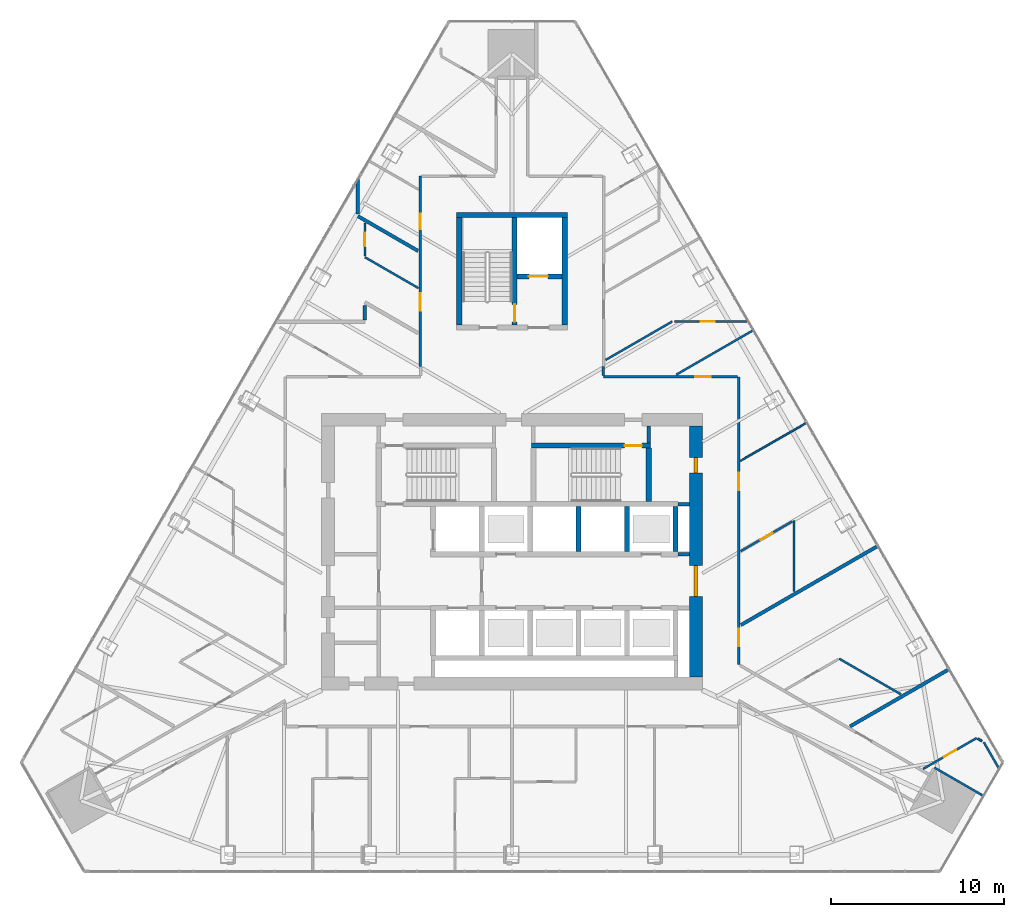
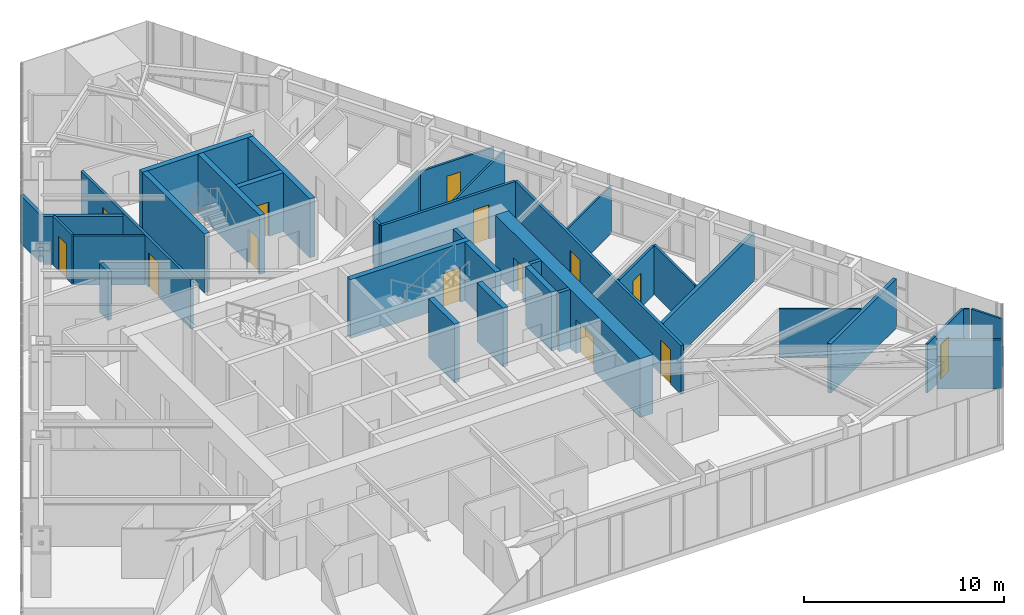
# One storey, part 21 of 24: 36 walls, 14 doors, 14 openings.
"""IFC4 building model written with IfcOpenShell, lengths in metres."""

from ifc_helpers import new_model, si_unit, direction, frame, frame_2d, origin, place, context, subcontext, project, spatial, rectangle, extrude, material, layer, layer_set, type_object, element, fill, save


model = new_model("IFC4")

# Units and contexts
model_context = context("Model", 3, precision=1e-05, world=origin(), true_north=direction((0.0, 1.0)))
body_context = subcontext(model_context, "Body", "Model", "MODEL_VIEW")
ifc_project = project(units=[si_unit("LENGTHUNIT", "METRE"), si_unit("AREAUNIT", "SQUARE_METRE"), si_unit("VOLUMEUNIT", "CUBIC_METRE"), si_unit("PLANEANGLEUNIT", "RADIAN"), si_unit("MASSUNIT", "GRAM", prefix="KILO")], contexts=[model_context])

# Site, building, storey
site_placement = place(None, origin())
site = spatial("IfcSite", under=ifc_project, at=site_placement, CompositionType="ELEMENT")
building_placement = place(site_placement, origin())
building = spatial("IfcBuilding", under=site, at=building_placement, Name="Firuza Gate Tower and Library", CompositionType="ELEMENT")
storey_placement = place(building_placement, frame((0.0, 0.0, 237.699951171875)))
storey = spatial("IfcBuildingStorey", under=building, at=storey_placement, Name="L56", CompositionType="ELEMENT", Elevation=237.699951171875)

# Walls
ifc_material_1 = material(Name="Plasterboard on steel studs", Category="steel")
ifc_layer_1 = layer(ifc_material_1, 0.199951171875)
ifc_layer_set_1 = layer_set([ifc_layer_1], Name="Core partition 200 EI 120")
wall_type_1 = type_object("IfcWallType", Name="Core partition 200 EI 120", PredefinedType="PARTITIONING", material=ifc_layer_set_1)
for number, where, z_axis, x_axis, name in (
    (1, (84.60009765625, 74.85009765625, 0.0), (0.0, 0.0, 1.0), (1.0, 0.0, 0.0), "Core partition L56 5"),
    (2, (84.60009765625, 77.75, 0.0), (0.0, 0.0, 1.0), (1.0, 0.0, 0.0), "Core partition L56 6"),
):
    element("IfcWall", number, at=place(storey_placement, frame(where, z_axis=z_axis, x_axis=x_axis)), inside=storey, type_object=wall_type_1, Name=name, PredefinedType="PARTITIONING", context=body_context, shape_type="SweptSolid", body=[
        extrude(rectangle(XDim=0.64990234375, YDim=0.199951171875, at=frame_2d((0.324951171875, 0.0))), origin(), (0.0, 0.0, 1.0), 3.60009765625),
    ])
ifc_material_2 = material(Name="Plasterboard on steel studs", Category="steel")
ifc_layer_2 = layer(ifc_material_2, 0.199951171875)
ifc_layer_set_2 = layer_set([ifc_layer_2], Name="Core partition 200 EI 60")
wall_type_2 = type_object("IfcWallType", Name="Core partition 200 EI 60", PredefinedType="PARTITIONING", material=ifc_layer_set_2)
wall_1_placement = place(storey_placement, frame((82.89990234375, 81.280029296875, 0.0), z_axis=(0.0, 0.0, 1.0), x_axis=(0.0, 1.0, 0.0)))
element("IfcWall", 3, at=wall_1_placement, inside=storey, type_object=wall_type_2, Name="Core partition L56 14", PredefinedType="PARTITIONING", context=body_context, shape_type="SweptSolid", body=[
    extrude(rectangle(XDim=0.969970703125, YDim=0.199951171875, at=frame_2d((0.48486328125, 0.0))), origin(), (0.0, 0.0, 1.0), 3.60009765625),
])
ifc_material_3 = material(Name="Concrete C80/95", Category="concrete")
ifc_layer_3 = layer(ifc_material_3, 0.300048828125)
ifc_layer_set_3 = layer_set([ifc_layer_3], Name="Core wall 300 C80/95")
wall_type_3 = type_object("IfcWallType", Name="Core wall 300 C80/95", PredefinedType="SHEAR", material=ifc_layer_set_3)
for number, where, z_axis, x_axis, name in (
    (4, (78.85009765625, 75.0, 0.0), (0.0, 0.0, 1.0), (0.0, 1.0, 0.0), "Core wall L56 15"),
    (5, (81.64990234375, 75.0, 0.0), (0.0, 0.0, 1.0), (0.0, 1.0, 0.0), "Core wall L56 17"),
    (6, (84.449951171875, 75.0, 0.0), (0.0, 0.0, 1.0), (0.0, 1.0, 0.0), "Core wall L56 19"),
):
    element("IfcWall", number, at=place(storey_placement, frame(where, z_axis=z_axis, x_axis=x_axis)), inside=storey, type_object=wall_type_3, Name=name, PredefinedType="SHEAR", context=body_context, shape_type="SweptSolid", body=[
        extrude(rectangle(XDim=2.60009765625, YDim=0.300048828125, at=frame_2d((1.300048828125, 0.0))), origin(), (0.0, 0.0, 1.0), 3.60009765625),
    ])

# Wall, opening, door
wall_2_placement = place(storey_placement, frame((76.139892578125, 81.1298828125, 0.0), z_axis=(0.0, 0.0, 1.0), x_axis=(1.0, 0.0, 0.0)))
wall_2 = element("IfcWall", 7, at=wall_2_placement, inside=storey, type_object=wall_type_3, Name="Core wall L56 22", PredefinedType="SHEAR", context=body_context, shape_type="SweptSolid", body=[
    extrude(rectangle(XDim=6.860107421875, YDim=0.300048828125, at=frame_2d((3.43017578125, 0.0))), origin(), (0.0, 0.0, 1.0), 3.60009765625),
])
opening_1_placement = place(wall_2_placement, frame((5.364990234375, 0.0, 0.0)))
opening_1 = element("IfcOpeningElement", 8, at=opening_1_placement, cuts=wall_2, Name="Opening L56-K13", PredefinedType="OPENING", context=body_context, shape_type="SweptSolid", body=[
    extrude(rectangle(XDim=1.0, YDim=2.10009765625, at=frame_2d((0.5, 1.050048828125))), frame((0.0, 0.16015625, 0.0), z_axis=(0.0, -1.0, 0.0), x_axis=(1.0, 0.0, 0.0)), (0.0, 0.0, 1.0), 0.320068359375),
])
ifc_material_4 = material(Name="Steel", Category="steel")
door_type_1 = type_object("IfcDoorType", Name="Fire door 1000x2100 FD90", OperationType="NOTDEFINED", PredefinedType="DOOR", material=ifc_material_4)
door_1_placement = place(opening_1_placement, origin())
door_1 = element("IfcDoor", 9, at=door_1_placement, inside=storey, type_object=door_type_1, Name="Door L56-K13", OperationType="SINGLE_SWING_RIGHT", OverallHeight=2.10009765625, OverallWidth=1.0, PredefinedType="DOOR", context=body_context, shape_type="SweptSolid", body=[
    extrude(rectangle(XDim=1.0, YDim=2.10009765625, at=frame_2d((0.5, 1.050048828125))), frame((0.0, 0.02490234375, 0.0), z_axis=(0.0, -1.0, 0.0), x_axis=(1.0, 0.0, 0.0)), (0.0, 0.0, 1.0), 0.050048828125),
])
fill(opening_1, door_1)

# Walls
wall_3_placement = place(storey_placement, frame((82.89990234375, 77.89990234375, 0.0), z_axis=(0.0, 0.0, 1.0), x_axis=(0.0, 1.0, 0.0)))
element("IfcWall", 10, at=wall_3_placement, inside=storey, type_object=wall_type_3, Name="Core wall L56 26", PredefinedType="SHEAR", context=body_context, shape_type="SweptSolid", body=[
    extrude(rectangle(XDim=3.080078125, YDim=0.300048828125, at=frame_2d((1.5400390625, 0.0))), origin(), (0.0, 0.0, 1.0), 3.60009765625),
])
wall_4_placement = place(storey_placement, frame((71.800048828125, 94.449951171875, 0.0), z_axis=(0.0, 0.0, 1.0), x_axis=(1.0, 0.0, 0.0)))
element("IfcWall", 11, at=wall_4_placement, inside=storey, type_object=wall_type_3, Name="Core wall L56 28", PredefinedType="SHEAR", context=body_context, shape_type="SweptSolid", body=[
    extrude(rectangle(XDim=6.39990234375, YDim=0.300048828125, at=frame_2d((3.199951171875, 0.0))), origin(), (0.0, 0.0, 1.0), 3.60009765625),
])
for number, where, z_axis, x_axis, name in (
    (12, (71.949951171875, 88.10009765625, 0.0), (0.0, 0.0, 1.0), (0.0, 1.0, 0.0), "Core wall L56 29"),
    (13, (78.050048828125, 88.10009765625, 0.0), (0.0, 0.0, 1.0), (0.0, 1.0, 0.0), "Core wall L56 30"),
):
    element("IfcWall", number, at=place(storey_placement, frame(where, z_axis=z_axis, x_axis=x_axis)), inside=storey, type_object=wall_type_3, Name=name, PredefinedType="SHEAR", context=body_context, shape_type="SweptSolid", body=[
        extrude(rectangle(XDim=6.199951171875, YDim=0.300048828125, at=frame_2d((3.10009765625, 0.0))), origin(), (0.0, 0.0, 1.0), 3.60009765625),
    ])

# Wall, opening, door
wall_5_placement = place(storey_placement, frame((75.300048828125, 90.89990234375, 0.0), z_axis=(0.0, 0.0, 1.0), x_axis=(1.0, 0.0, 0.0)))
wall_5 = element("IfcWall", 14, at=wall_5_placement, inside=storey, type_object=wall_type_3, Name="Core wall L56 31", PredefinedType="SHEAR", context=body_context, shape_type="SweptSolid", body=[
    extrude(rectangle(XDim=2.599853515625, YDim=0.300048828125, at=frame_2d((1.2998046875, 0.0))), origin(), (0.0, 0.0, 1.0), 3.60009765625),
])
opening_2_placement = place(wall_5_placement, frame((0.675048828125, 0.0, 0.0)))
opening_2 = element("IfcOpeningElement", 15, at=opening_2_placement, cuts=wall_5, Name="Opening LD-SV1-L56", PredefinedType="OPENING", context=body_context, shape_type="SweptSolid", body=[
    extrude(rectangle(XDim=1.10009765625, YDim=2.10009765625, at=frame_2d((0.550048828125, 1.050048828125))), frame((0.0, 0.16015625, 0.0), z_axis=(0.0, -1.0, 0.0), x_axis=(1.0, 0.0, 0.0)), (0.0, 0.0, 1.0), 0.320068359375),
])
ifc_material_5 = material(Name="Stainless steel", Category="steel")
door_type_2 = type_object("IfcDoorType", Name="Lift landing door 1100x2100", OperationType="DOUBLE_DOOR_SLIDING", PredefinedType="DOOR", material=ifc_material_5)
door_2_placement = place(opening_2_placement, origin())
door_2 = element("IfcDoor", 16, at=door_2_placement, inside=storey, type_object=door_type_2, Name="Landing door SV1 L56", OperationType="DOUBLE_DOOR_SLIDING", OverallHeight=2.10009765625, OverallWidth=1.10009765625, PredefinedType="DOOR", context=body_context, shape_type="SweptSolid", body=[
    extrude(rectangle(XDim=1.10009765625, YDim=2.10009765625, at=frame_2d((0.550048828125, 1.050048828125))), frame((0.0, 0.02490234375, 0.0), z_axis=(0.0, -1.0, 0.0), x_axis=(1.0, 0.0, 0.0)), (0.0, 0.0, 1.0), 0.050048828125),
])
fill(opening_2, door_2)

wall_6_placement = place(storey_placement, frame((75.14990234375, 88.10009765625, 0.0), z_axis=(0.0, 0.0, 1.0), x_axis=(0.0, 1.0, 0.0)))
wall_6 = element("IfcWall", 17, at=wall_6_placement, inside=storey, type_object=wall_type_3, Name="Core wall L56 32", PredefinedType="SHEAR", context=body_context, shape_type="SweptSolid", body=[
    extrude(rectangle(XDim=6.199951171875, YDim=0.300048828125, at=frame_2d((3.10009765625, 0.0))), origin(), (0.0, 0.0, 1.0), 3.60009765625),
])
opening_3_placement = place(wall_6_placement, frame((0.18505859375, 0.0, 0.0)))
opening_3 = element("IfcOpeningElement", 18, at=opening_3_placement, cuts=wall_6, Name="Opening L56-K16", PredefinedType="OPENING", context=body_context, shape_type="SweptSolid", body=[
    extrude(rectangle(XDim=1.0, YDim=2.10009765625, at=frame_2d((0.5, 1.050048828125))), frame((0.0, 0.16015625, 0.0), z_axis=(0.0, -1.0, 0.0), x_axis=(1.0, 0.0, 0.0)), (0.0, 0.0, 1.0), 0.320068359375),
])
door_3_placement = place(opening_3_placement, origin())
door_3 = element("IfcDoor", 19, at=door_3_placement, inside=storey, type_object=door_type_1, Name="Door L56-K16", OperationType="SINGLE_SWING_LEFT", OverallHeight=2.10009765625, OverallWidth=1.0, PredefinedType="DOOR", context=body_context, shape_type="SweptSolid", body=[
    extrude(rectangle(XDim=1.0, YDim=2.10009765625, at=frame_2d((0.5, 1.050048828125))), frame((0.0, 0.02490234375, 0.0), z_axis=(0.0, -1.0, 0.0), x_axis=(1.0, 0.0, 0.0)), (0.0, 0.0, 1.0), 0.050048828125),
])
fill(opening_3, door_3)

# Wall, openings, doors
ifc_material_6 = material(Name="Concrete C80/95", Category="concrete")
ifc_layer_4 = layer(ifc_material_6, 0.75)
ifc_layer_set_4 = layer_set([ifc_layer_4], Name="Core wall 750 C80/95")
wall_type_4 = type_object("IfcWallType", Name="Core wall 750 C80/95", PredefinedType="SHEAR", material=ifc_layer_set_4)
wall_7_placement = place(storey_placement, frame((85.625, 67.75, 0.0), z_axis=(0.0, 0.0, 1.0), x_axis=(0.0, 1.0, 0.0)))
wall_7 = element("IfcWall", 20, at=wall_7_placement, inside=storey, type_object=wall_type_4, Name="Core wall L56 4", PredefinedType="SHEAR", context=body_context, shape_type="SweptSolid", body=[
    extrude(rectangle(XDim=14.5, YDim=0.75, at=frame_2d((7.25, 0.0))), origin(), (0.0, 0.0, 1.0), 3.60009765625),
])
opening_4_placement = place(wall_7_placement, frame((4.64990234375, 0.0, 0.0)))
opening_4 = element("IfcOpeningElement", 21, at=opening_4_placement, cuts=wall_7, Name="Opening L56-K21", PredefinedType="OPENING", context=body_context, shape_type="SweptSolid", body=[
    extrude(rectangle(XDim=1.800048828125, YDim=2.10009765625, at=frame_2d((0.89990234375, 1.050048828125))), frame((0.0, 0.385009765625, 0.0), z_axis=(0.0, -1.0, 0.0), x_axis=(1.0, 0.0, 0.0)), (0.0, 0.0, 1.0), 0.77001953125),
])
opening_5_placement = place(wall_7_placement, frame((11.800048828125, 0.0, 0.0)))
opening_5 = element("IfcOpeningElement", 22, at=opening_5_placement, cuts=wall_7, Name="Opening L56-K27", PredefinedType="OPENING", context=body_context, shape_type="SweptSolid", body=[
    extrude(rectangle(XDim=0.89990234375, YDim=2.10009765625, at=frame_2d((0.449951171875, 1.050048828125))), frame((0.0, 0.385009765625, 0.0), z_axis=(0.0, -1.0, 0.0), x_axis=(1.0, 0.0, 0.0)), (0.0, 0.0, 1.0), 0.77001953125),
])
ifc_material_7 = material(Name="Steel", Category="steel")
door_type_3 = type_object("IfcDoorType", Name="Fire door 1800x2100 FD30S", OperationType="NOTDEFINED", PredefinedType="DOOR", material=ifc_material_7)
door_4_placement = place(opening_4_placement, origin())
door_4 = element("IfcDoor", 23, at=door_4_placement, inside=storey, type_object=door_type_3, Name="Door L56-K21", OperationType="SINGLE_SWING_RIGHT", OverallHeight=2.10009765625, OverallWidth=1.800048828125, PredefinedType="DOOR", context=body_context, shape_type="SweptSolid", body=[
    extrude(rectangle(XDim=1.800048828125, YDim=2.10009765625, at=frame_2d((0.89990234375, 1.050048828125))), frame((0.0, 0.094970703125, 0.0), z_axis=(0.0, -1.0, 0.0), x_axis=(1.0, 0.0, 0.0)), (0.0, 0.0, 1.0), 0.18994140625),
])
fill(opening_4, door_4)
ifc_material_8 = material(Name="Steel", Category="steel")
door_type_4 = type_object("IfcDoorType", Name="Fire door 900x2100 FD30S", OperationType="NOTDEFINED", PredefinedType="DOOR", material=ifc_material_8)
door_5_placement = place(opening_5_placement, origin())
door_5 = element("IfcDoor", 24, at=door_5_placement, inside=storey, type_object=door_type_4, Name="Door L56-K27", OperationType="SINGLE_SWING_RIGHT", OverallHeight=2.10009765625, OverallWidth=0.89990234375, PredefinedType="DOOR", context=body_context, shape_type="SweptSolid", body=[
    extrude(rectangle(XDim=0.89990234375, YDim=2.10009765625, at=frame_2d((0.449951171875, 1.050048828125))), frame((0.0, 0.094970703125, 0.0), z_axis=(0.0, -1.0, 0.0), x_axis=(1.0, 0.0, 0.0)), (0.0, 0.0, 1.0), 0.18994140625),
])
fill(opening_5, door_5)

# Wall, opening, door
ifc_material_9 = material(Name="Gypsum board partition")
ifc_layer_5 = layer(ifc_material_9, 0.14990234375)
ifc_layer_set_5 = layer_set([ifc_layer_5], Name="Corridor wall 150 double board on steel studs")
wall_type_5 = type_object("IfcWallType", Name="Corridor wall 150 double board on steel studs", PredefinedType="PARTITIONING", material=ifc_layer_set_5)
wall_8_placement = place(storey_placement, frame((88.0244140625, 85.10009765625, 0.0), z_axis=(0.0, 0.0, 1.0), x_axis=(-1.0, 0.0, 0.0)))
wall_8 = element("IfcWall", 25, at=wall_8_placement, inside=storey, type_object=wall_type_5, Name="f:L56:w013", PredefinedType="PARTITIONING", context=body_context, shape_type="SweptSolid", body=[
    extrude(rectangle(XDim=7.743896484375, YDim=0.14990234375, at=frame_2d((3.8720703125, 0.0))), origin(), (0.0, 0.0, 1.0), 3.0),
])
opening_6_placement = place(wall_8_placement, frame((1.529541015625, 0.0, 0.0)))
opening_6 = element("IfcOpeningElement", 26, at=opening_6_placement, cuts=wall_8, Name="Opening L56-09", PredefinedType="OPENING", context=body_context, shape_type="SweptSolid", body=[
    extrude(rectangle(XDim=0.89990234375, YDim=2.10009765625, at=frame_2d((0.449951171875, 1.050048828125))), frame((0.0, 0.0849609375, 0.0), z_axis=(0.0, -1.0, 0.0), x_axis=(1.0, 0.0, 0.0)), (0.0, 0.0, 1.0), 0.169921875),
])
ifc_material_10 = material(Name="Steel door and timber leaf", Category="steel")
door_type_5 = type_object("IfcDoorType", Name="Fire door 900 x 2100 steel frame, timber leaf", OperationType="NOTDEFINED", PredefinedType="DOOR", material=ifc_material_10)
door_6_placement = place(opening_6_placement, origin())
door_6 = element("IfcDoor", 27, at=door_6_placement, inside=storey, type_object=door_type_5, Name="f:L56:d009", OperationType="SINGLE_SWING_RIGHT", OverallHeight=2.10009765625, OverallWidth=0.89990234375, PredefinedType="DOOR", context=body_context, shape_type="SweptSolid", body=[
    extrude(rectangle(XDim=0.89990234375, YDim=2.10009765625, at=frame_2d((0.449951171875, 1.050048828125))), frame((0.0, 0.02490234375, 0.0), z_axis=(0.0, -1.0, 0.0), x_axis=(1.0, 0.0, 0.0)), (0.0, 0.0, 1.0), 0.050048828125),
])
fill(opening_6, door_6)

# Wall, openings, doors
wall_9_placement = place(storey_placement, frame((88.10009765625, 85.099609375, 0.0), z_axis=(0.0, 0.0, 1.0), x_axis=(0.0, -1.0, 0.0)))
wall_9 = element("IfcWall", 28, at=wall_9_placement, inside=storey, type_object=wall_type_5, Name="f:L56:w041", PredefinedType="PARTITIONING", context=body_context, shape_type="SweptSolid", body=[
    extrude(rectangle(XDim=16.62353515625, YDim=0.14990234375, at=frame_2d((8.311767578125, 0.0))), origin(), (0.0, 0.0, 1.0), 3.0),
])
opening_7_placement = place(wall_9_placement, frame((5.541748046875, 0.0, 0.0)))
opening_7 = element("IfcOpeningElement", 29, at=opening_7_placement, cuts=wall_9, Name="Opening L56-22", PredefinedType="OPENING", context=body_context, shape_type="SweptSolid", body=[
    extrude(rectangle(XDim=1.0, YDim=2.10009765625, at=frame_2d((0.5, 1.050048828125))), frame((0.0, 0.0849609375, 0.0), z_axis=(0.0, -1.0, 0.0), x_axis=(1.0, 0.0, 0.0)), (0.0, 0.0, 1.0), 0.169921875),
])
opening_8_placement = place(wall_9_placement, frame((14.55810546875, 0.0, 0.0)))
opening_8 = element("IfcOpeningElement", 30, at=opening_8_placement, cuts=wall_9, Name="Opening L56-23", PredefinedType="OPENING", context=body_context, shape_type="SweptSolid", body=[
    extrude(rectangle(XDim=1.0, YDim=2.10009765625, at=frame_2d((0.5, 1.050048828125))), frame((0.0, 0.0849609375, 0.0), z_axis=(0.0, -1.0, 0.0), x_axis=(1.0, 0.0, 0.0)), (0.0, 0.0, 1.0), 0.169921875),
])
ifc_material_11 = material(Name="Steel door and timber leaf", Category="steel")
door_type_6 = type_object("IfcDoorType", Name="Fire door 1000 x 2100 steel frame, timber leaf", OperationType="NOTDEFINED", PredefinedType="DOOR", material=ifc_material_11)
door_7_placement = place(opening_7_placement, origin())
door_7 = element("IfcDoor", 31, at=door_7_placement, inside=storey, type_object=door_type_6, Name="f:L56:d022", OperationType="SINGLE_SWING_RIGHT", OverallHeight=2.10009765625, OverallWidth=1.0, PredefinedType="DOOR", context=body_context, shape_type="SweptSolid", body=[
    extrude(rectangle(XDim=1.0, YDim=2.10009765625, at=frame_2d((0.5, 1.050048828125))), frame((0.0, 0.02490234375, 0.0), z_axis=(0.0, -1.0, 0.0), x_axis=(1.0, 0.0, 0.0)), (0.0, 0.0, 1.0), 0.050048828125),
])
fill(opening_7, door_7)
door_8_placement = place(opening_8_placement, origin())
door_8 = element("IfcDoor", 32, at=door_8_placement, inside=storey, type_object=door_type_6, Name="f:L56:d023", OperationType="SINGLE_SWING_RIGHT", OverallHeight=2.10009765625, OverallWidth=1.0, PredefinedType="DOOR", context=body_context, shape_type="SweptSolid", body=[
    extrude(rectangle(XDim=1.0, YDim=2.10009765625, at=frame_2d((0.5, 1.050048828125))), frame((0.0, 0.02490234375, 0.0), z_axis=(0.0, -1.0, 0.0), x_axis=(1.0, 0.0, 0.0)), (0.0, 0.0, 1.0), 0.050048828125),
])
fill(opening_8, door_8)

# Wall
wall_10_placement = place(storey_placement, frame((80.281005859375, 85.175048828125, 0.0), z_axis=(0.0, 0.0, 1.0), x_axis=(0.0, 1.0, 0.0)))
element("IfcWall", 33, at=wall_10_placement, inside=storey, type_object=wall_type_5, Name="f:L56:w046", PredefinedType="PARTITIONING", context=body_context, shape_type="SweptSolid", body=[
    extrude(rectangle(XDim=0.52490234375, YDim=0.14990234375, at=frame_2d((0.262451171875, 0.0))), origin(), (0.0, 0.0, 1.0), 3.0),
])

# Wall, openings, doors
wall_11_placement = place(storey_placement, frame((69.699951171875, 85.700439453125, 0.0), z_axis=(0.0, 0.0, 1.0), x_axis=(0.0, 1.0, 0.0)))
wall_11 = element("IfcWall", 34, at=wall_11_placement, inside=storey, type_object=wall_type_5, Name="f:L56:w057", PredefinedType="PARTITIONING", context=body_context, shape_type="SweptSolid", body=[
    extrude(rectangle(XDim=10.9990234375, YDim=0.14990234375, at=frame_2d((5.49951171875, 0.0))), origin(), (0.0, 0.0, 1.0), 3.0),
])
opening_9_placement = place(wall_11_placement, frame((3.230224609375, 0.0, 0.0)))
opening_9 = element("IfcOpeningElement", 35, at=opening_9_placement, cuts=wall_11, Name="Opening L56-28", PredefinedType="OPENING", context=body_context, shape_type="SweptSolid", body=[
    extrude(rectangle(XDim=1.0, YDim=2.10009765625, at=frame_2d((0.5, 1.050048828125))), frame((0.0, 0.0849609375, 0.0), z_axis=(0.0, -1.0, 0.0), x_axis=(1.0, 0.0, 0.0)), (0.0, 0.0, 1.0), 0.169921875),
])
opening_10_placement = place(wall_11_placement, frame((7.937744140625, 0.0, 0.0)))
opening_10 = element("IfcOpeningElement", 36, at=opening_10_placement, cuts=wall_11, Name="Opening L56-29", PredefinedType="OPENING", context=body_context, shape_type="SweptSolid", body=[
    extrude(rectangle(XDim=0.89990234375, YDim=2.10009765625, at=frame_2d((0.449951171875, 1.050048828125))), frame((0.0, 0.0849609375, 0.0), z_axis=(0.0, -1.0, 0.0), x_axis=(1.0, 0.0, 0.0)), (0.0, 0.0, 1.0), 0.169921875),
])
door_9_placement = place(opening_9_placement, origin())
door_9 = element("IfcDoor", 37, at=door_9_placement, inside=storey, type_object=door_type_6, Name="f:L56:d028", OperationType="SINGLE_SWING_LEFT", OverallHeight=2.10009765625, OverallWidth=1.0, PredefinedType="DOOR", context=body_context, shape_type="SweptSolid", body=[
    extrude(rectangle(XDim=1.0, YDim=2.10009765625, at=frame_2d((0.5, 1.050048828125))), frame((0.0, 0.02490234375, 0.0), z_axis=(0.0, -1.0, 0.0), x_axis=(1.0, 0.0, 0.0)), (0.0, 0.0, 1.0), 0.050048828125),
])
fill(opening_9, door_9)
door_10_placement = place(opening_10_placement, origin())
door_10 = element("IfcDoor", 38, at=door_10_placement, inside=storey, type_object=door_type_5, Name="f:L56:d029", OperationType="SINGLE_SWING_RIGHT", OverallHeight=2.10009765625, OverallWidth=0.89990234375, PredefinedType="DOOR", context=body_context, shape_type="SweptSolid", body=[
    extrude(rectangle(XDim=0.89990234375, YDim=2.10009765625, at=frame_2d((0.449951171875, 1.050048828125))), frame((0.0, 0.02490234375, 0.0), z_axis=(0.0, -1.0, 0.0), x_axis=(1.0, 0.0, 0.0)), (0.0, 0.0, 1.0), 0.050048828125),
])
fill(opening_10, door_10)

# Walls
ifc_material_12 = material(Name="Gypsum board partition")
ifc_layer_6 = layer(ifc_material_12, 0.199951171875)
ifc_layer_set_6 = layer_set([ifc_layer_6], Name="Demising wall 200 acoustic double stud")
wall_type_6 = type_object("IfcWallType", Name="Demising wall 200 acoustic double stud", PredefinedType="PARTITIONING", material=ifc_layer_set_6)
wall_12_placement = place(storey_placement, frame((94.53466796875, 64.9072265625, 0.0), z_axis=(0.0, 0.0, 1.0), x_axis=(0.866024015056, 0.50000240534, 0.0)))
element("IfcWall", 39, at=wall_12_placement, inside=storey, type_object=wall_type_6, Name="f:L56:w020", PredefinedType="PARTITIONING", context=body_context, shape_type="SweptSolid", body=[
    extrude(rectangle(XDim=6.5927734375, YDim=0.199951171875, at=frame_2d((3.29638671875, 0.0))), origin(), (0.0, 0.0, 1.0), 3.0),
])
wall_13_placement = place(storey_placement, frame((88.22705078125, 70.76416015625, 0.0), z_axis=(0.0, 0.0, 1.0), x_axis=(0.866028789565, 0.499994135611, 0.0)))
element("IfcWall", 40, at=wall_13_placement, inside=storey, type_object=wall_type_6, Name="f:L56:w022", PredefinedType="PARTITIONING", context=body_context, shape_type="SweptSolid", body=[
    extrude(rectangle(XDim=9.126953125, YDim=0.199951171875, at=frame_2d((4.5634765625, 0.0))), origin(), (0.0, 0.0, 1.0), 2.922119140625),
])
wall_14_placement = place(storey_placement, frame((66.5, 88.400390625, 0.0), z_axis=(0.0, 0.0, 1.0), x_axis=(0.0, 1.0, 0.0)))
element("IfcWall", 41, at=wall_14_placement, inside=storey, type_object=wall_type_6, Name="f:L56:w059", PredefinedType="PARTITIONING", context=body_context, shape_type="SweptSolid", body=[
    extrude(rectangle(XDim=0.82958984375, YDim=0.199951171875, at=frame_2d((0.414794921875, 0.0))), origin(), (0.0, 0.0, 1.0), 3.0),
])
wall_15_placement = place(storey_placement, frame((66.10009765625, 94.501708984375, 0.0), z_axis=(0.0, 0.0, 1.0), x_axis=(0.0, 1.0, 0.0)))
element("IfcWall", 42, at=wall_15_placement, inside=storey, type_object=wall_type_6, Name="f:L56:w062", PredefinedType="PARTITIONING", context=body_context, shape_type="SweptSolid", body=[
    extrude(rectangle(XDim=2.010986328125, YDim=0.199951171875, at=frame_2d((1.00537109375, 0.0))), origin(), (0.0, 0.0, 1.0), 2.922119140625),
])
wall_16_placement = place(storey_placement, frame((69.572998046875, 92.380126953125, 0.0), z_axis=(0.0, 0.0, 1.0), x_axis=(-0.866020331166, 0.500008785931, 0.0)))
element("IfcWall", 43, at=wall_16_placement, inside=storey, type_object=wall_type_6, Name="f:L56:w076", PredefinedType="PARTITIONING", context=body_context, shape_type="SweptSolid", body=[
    extrude(rectangle(XDim=4.01025390625, YDim=0.199951171875, at=frame_2d((2.005126953125, 0.0))), origin(), (0.0, 0.0, 1.0), 2.922119140625),
])
ifc_material_13 = material(Name="Gypsum board partition")
ifc_layer_7 = layer(ifc_material_13, 0.10009765625)
ifc_layer_set_7 = layer_set([ifc_layer_7], Name="Partition 100 gypsum board on steel studs")
wall_type_7 = type_object("IfcWallType", Name="Partition 100 gypsum board on steel studs", PredefinedType="PARTITIONING", material=ifc_layer_set_7)
wall_17_placement = place(storey_placement, frame((88.20068359375, 80.24755859375, 0.0), z_axis=(0.0, 0.0, 1.0), x_axis=(0.866050012359, 0.499957374277, 0.0)))
element("IfcWall", 44, at=wall_17_placement, inside=storey, type_object=wall_type_7, Name="f:L56:w024", PredefinedType="PARTITIONING", context=body_context, shape_type="SweptSolid", body=[
    extrude(rectangle(XDim=4.408203125, YDim=0.10009765625, at=frame_2d((2.2041015625, 0.0))), origin(), (0.0, 0.0, 1.0), 2.922119140625),
])

# Wall, opening, door
ifc_material_14 = material(Name="Gypsum board partition")
ifc_layer_8 = layer(ifc_material_14, 0.1201171875)
ifc_layer_set_8 = layer_set([ifc_layer_8], Name="Wet-area partition 120 moisture-resistant board")
wall_type_8 = type_object("IfcWallType", Name="Wet-area partition 120 moisture-resistant board", PredefinedType="PARTITIONING", material=ifc_layer_set_8)
wall_18_placement = place(storey_placement, frame((88.6416015625, 88.300048828125, 0.0), z_axis=(0.0, 0.0, 1.0), x_axis=(-1.0, 0.0, 0.0)))
wall_18 = element("IfcWall", 45, at=wall_18_placement, inside=storey, type_object=wall_type_8, Name="f:L56:w015", PredefinedType="PARTITIONING", context=body_context, shape_type="SweptSolid", body=[
    extrude(rectangle(XDim=4.26318359375, YDim=0.1201171875, at=frame_2d((2.131591796875, 0.0))), origin(), (0.0, 0.0, 1.0), 2.922119140625),
])
opening_11_placement = place(wall_18_placement, frame((1.939453125, 0.0, 0.0)))
opening_11 = element("IfcOpeningElement", 46, at=opening_11_placement, cuts=wall_18, Name="Opening L56-10", PredefinedType="OPENING", context=body_context, shape_type="SweptSolid", body=[
    extrude(rectangle(XDim=0.800048828125, YDim=2.10009765625, at=frame_2d((0.39990234375, 1.050048828125))), frame((0.0, 0.070068359375, 0.0), z_axis=(0.0, -1.0, 0.0), x_axis=(1.0, 0.0, 0.0)), (0.0, 0.0, 1.0), 0.14013671875),
])
ifc_material_15 = material(Name="Timber door", Category="wood")
door_type_7 = type_object("IfcDoorType", Name="Door 800 x 2100 timber leaf", OperationType="NOTDEFINED", PredefinedType="DOOR", material=ifc_material_15)
door_11_placement = place(opening_11_placement, origin())
door_11 = element("IfcDoor", 47, at=door_11_placement, inside=storey, type_object=door_type_7, Name="f:L56:d010", OperationType="SINGLE_SWING_RIGHT", OverallHeight=2.10009765625, OverallWidth=0.800048828125, PredefinedType="DOOR", context=body_context, shape_type="SweptSolid", body=[
    extrude(rectangle(XDim=0.800048828125, YDim=2.10009765625, at=frame_2d((0.39990234375, 1.050048828125))), frame((0.0, 0.02490234375, 0.0), z_axis=(0.0, -1.0, 0.0), x_axis=(1.0, 0.0, 0.0)), (0.0, 0.0, 1.0), 0.050048828125),
])
fill(opening_11, door_11)

wall_19_placement = place(storey_placement, frame((101.84765625, 64.233642578125, 0.0), z_axis=(0.0, 0.0, 1.0), x_axis=(-0.865998731726, -0.500046194516, 0.0)))
wall_19 = element("IfcWall", 48, at=wall_19_placement, inside=storey, type_object=wall_type_8, Name="f:L56:w019", PredefinedType="PARTITIONING", context=body_context, shape_type="SweptSolid", body=[
    extrude(rectangle(XDim=3.568603515625, YDim=0.1201171875, at=frame_2d((1.7841796875, 0.0))), origin(), (0.0, 0.0, 1.0), 3.0),
])
opening_12_placement = place(wall_19_placement, frame((1.38427734375, 0.0, 0.0)))
opening_12 = element("IfcOpeningElement", 49, at=opening_12_placement, cuts=wall_19, Name="Opening L56-13", PredefinedType="OPENING", context=body_context, shape_type="SweptSolid", body=[
    extrude(rectangle(XDim=0.800048828125, YDim=2.10009765625, at=frame_2d((0.39990234375, 1.050048828125))), frame((0.0, 0.070068359375, 0.0), z_axis=(0.0, -1.0, 0.0), x_axis=(1.0, 0.0, 0.0)), (0.0, 0.0, 1.0), 0.14013671875),
])
door_12_placement = place(opening_12_placement, origin())
door_12 = element("IfcDoor", 50, at=door_12_placement, inside=storey, type_object=door_type_7, Name="f:L56:d013", OperationType="SINGLE_SWING_LEFT", OverallHeight=2.10009765625, OverallWidth=0.800048828125, PredefinedType="DOOR", context=body_context, shape_type="SweptSolid", body=[
    extrude(rectangle(XDim=0.800048828125, YDim=2.10009765625, at=frame_2d((0.39990234375, 1.050048828125))), frame((0.0, 0.02490234375, 0.0), z_axis=(0.0, -1.0, 0.0), x_axis=(1.0, 0.0, 0.0)), (0.0, 0.0, 1.0), 0.050048828125),
])
fill(opening_12, door_12)

wall_20_placement = place(storey_placement, frame((91.20556640625, 76.75732421875, 0.0), z_axis=(0.0, 0.0, 1.0), x_axis=(-0.866028087245, -0.499995352082, 0.0)))
wall_20 = element("IfcWall", 51, at=wall_20_placement, inside=storey, type_object=wall_type_8, Name="f:L56:w023", PredefinedType="PARTITIONING", context=body_context, shape_type="SweptSolid", body=[
    extrude(rectangle(XDim=3.458984375, YDim=0.1201171875, at=frame_2d((1.7294921875, 0.0))), origin(), (0.0, 0.0, 1.0), 3.0),
])
opening_13_placement = place(wall_20_placement, frame((1.32958984375, 0.0, 0.0)))
opening_13 = element("IfcOpeningElement", 52, at=opening_13_placement, cuts=wall_20, Name="Opening L56-15", PredefinedType="OPENING", context=body_context, shape_type="SweptSolid", body=[
    extrude(rectangle(XDim=0.800048828125, YDim=2.10009765625, at=frame_2d((0.39990234375, 1.050048828125))), frame((0.0, 0.070068359375, 0.0), z_axis=(0.0, -1.0, 0.0), x_axis=(1.0, 0.0, 0.0)), (0.0, 0.0, 1.0), 0.14013671875),
])
door_13_placement = place(opening_13_placement, origin())
door_13 = element("IfcDoor", 53, at=door_13_placement, inside=storey, type_object=door_type_7, Name="f:L56:d015", OperationType="SINGLE_SWING_LEFT", OverallHeight=2.10009765625, OverallWidth=0.800048828125, PredefinedType="DOOR", context=body_context, shape_type="SweptSolid", body=[
    extrude(rectangle(XDim=0.800048828125, YDim=2.10009765625, at=frame_2d((0.39990234375, 1.050048828125))), frame((0.0, 0.02490234375, 0.0), z_axis=(0.0, -1.0, 0.0), x_axis=(1.0, 0.0, 0.0)), (0.0, 0.0, 1.0), 0.050048828125),
])
fill(opening_13, door_13)

# Walls
wall_21_placement = place(storey_placement, frame((84.4931640625, 85.230224609375, 0.0), z_axis=(0.0, 0.0, 1.0), x_axis=(0.866034146242, 0.499984857314, 0.0)))
element("IfcWall", 54, at=wall_21_placement, inside=storey, type_object=wall_type_8, Name="f:L56:w030", PredefinedType="PARTITIONING", context=body_context, shape_type="SweptSolid", body=[
    extrude(rectangle(XDim=5.127685546875, YDim=0.1201171875, at=frame_2d((2.56396484375, 0.0))), origin(), (0.0, 0.0, 1.0), 2.922119140625),
])
wall_22_placement = place(storey_placement, frame((80.40966796875, 86.078125, 0.0), z_axis=(0.0, 0.0, 1.0), x_axis=(0.866033721197, 0.499985593543, 0.0)))
element("IfcWall", 55, at=wall_22_placement, inside=storey, type_object=wall_type_8, Name="f:L56:w031", PredefinedType="PARTITIONING", context=body_context, shape_type="SweptSolid", body=[
    extrude(rectangle(XDim=4.444091796875, YDim=0.1201171875, at=frame_2d((2.22216796875, 0.0))), origin(), (0.0, 0.0, 1.0), 3.0),
])
wall_23_placement = place(storey_placement, frame((91.300048828125, 72.69384765625, 0.0), z_axis=(0.0, 0.0, 1.0), x_axis=(0.0, 1.0, 0.0)))
element("IfcWall", 56, at=wall_23_placement, inside=storey, type_object=wall_type_8, Name="f:L56:w039", PredefinedType="PARTITIONING", context=body_context, shape_type="SweptSolid", body=[
    extrude(rectangle(XDim=4.118408203125, YDim=0.1201171875, at=frame_2d((2.05908203125, 0.0))), origin(), (0.0, 0.0, 1.0), 3.0),
])

# Wall, opening, door
wall_24_placement = place(storey_placement, frame((66.5, 93.9990234375, 0.0), z_axis=(0.0, 0.0, 1.0), x_axis=(0.0, -1.0, 0.0)))
wall_24 = element("IfcWall", 57, at=wall_24_placement, inside=storey, type_object=wall_type_8, Name="f:L56:w060", PredefinedType="PARTITIONING", context=body_context, shape_type="SweptSolid", body=[
    extrude(rectangle(XDim=1.912353515625, YDim=0.1201171875, at=frame_2d((0.9560546875, 0.0))), origin(), (0.0, 0.0, 1.0), 3.0),
])
opening_14_placement = place(wall_24_placement, frame((0.55615234375, 0.0, 0.0)))
opening_14 = element("IfcOpeningElement", 58, at=opening_14_placement, cuts=wall_24, Name="Opening L56-30", PredefinedType="OPENING", context=body_context, shape_type="SweptSolid", body=[
    extrude(rectangle(XDim=0.800048828125, YDim=2.10009765625, at=frame_2d((0.39990234375, 1.050048828125))), frame((0.0, 0.070068359375, 0.0), z_axis=(0.0, -1.0, 0.0), x_axis=(1.0, 0.0, 0.0)), (0.0, 0.0, 1.0), 0.14013671875),
])
door_14_placement = place(opening_14_placement, origin())
door_14 = element("IfcDoor", 59, at=door_14_placement, inside=storey, type_object=door_type_7, Name="f:L56:d030", OperationType="SINGLE_SWING_LEFT", OverallHeight=2.10009765625, OverallWidth=0.800048828125, PredefinedType="DOOR", context=body_context, shape_type="SweptSolid", body=[
    extrude(rectangle(XDim=0.800048828125, YDim=2.10009765625, at=frame_2d((0.39990234375, 1.050048828125))), frame((0.0, 0.02490234375, 0.0), z_axis=(0.0, -1.0, 0.0), x_axis=(1.0, 0.0, 0.0)), (0.0, 0.0, 1.0), 0.050048828125),
])
fill(opening_14, door_14)

# Walls
wall_25_placement = place(storey_placement, frame((103.13818359375, 62.471435546875, 0.0), z_axis=(0.0, 0.0, 1.0), x_axis=(-0.499998282143, 0.866026395587, 0.0)))
element("IfcWall", 60, at=wall_25_placement, inside=storey, type_object=wall_type_8, Name="f:L56:w070", PredefinedType="PARTITIONING", context=body_context, shape_type="SweptSolid", body=[
    extrude(rectangle(XDim=1.76220703125, YDim=0.1201171875, at=frame_2d((0.881103515625, 0.0))), origin(), (0.0, 0.0, 1.0), 3.0),
])
wall_26_placement = place(storey_placement, frame((69.590087890625, 90.23291015625, 0.0), z_axis=(0.0, 0.0, 1.0), x_axis=(-0.866028357664, 0.499994883695, 0.0)))
element("IfcWall", 61, at=wall_26_placement, inside=storey, type_object=wall_type_8, Name="f:L56:w077", PredefinedType="PARTITIONING", context=body_context, shape_type="SweptSolid", body=[
    extrude(rectangle(XDim=3.568359375, YDim=0.1201171875, at=frame_2d((1.7841796875, 0.0))), origin(), (0.0, 0.0, 1.0), 3.0),
])
wall_27_placement = place(storey_placement, frame((102.153076171875, 64.0576171875, 0.0), z_axis=(0.0, 0.0, 1.0), x_axis=(-0.866113839764, 0.499846793097, 0.0)))
element("IfcWall", 62, at=wall_27_placement, inside=storey, type_object=wall_type_8, Name="f:L56:w080", PredefinedType="PARTITIONING", context=body_context, shape_type="SweptSolid", body=[
    extrude(rectangle(XDim=0.283203125, YDim=0.1201171875, at=frame_2d((0.1416015625, 0.0))), origin(), (0.0, 0.0, 1.0), 3.0),
])
wall_28_placement = place(storey_placement, frame((97.472900390625, 66.759765625, 0.0), z_axis=(0.0, 0.0, 1.0), x_axis=(-0.866027647951, 0.499996112969, 0.0)))
element("IfcWall", 63, at=wall_28_placement, inside=storey, type_object=wall_type_8, Name="f:L56:w081", PredefinedType="PARTITIONING", context=body_context, shape_type="SweptSolid", body=[
    extrude(rectangle(XDim=4.11865234375, YDim=0.1201171875, at=frame_2d((2.059326171875, 0.0))), origin(), (0.0, 0.0, 1.0), 3.0),
])
wall_29_placement = place(storey_placement, frame((102.228759765625, 60.896240234375, 0.0), z_axis=(0.0, 0.0, 1.0), x_axis=(-0.866054628924, 0.499949377157, 0.0)))
element("IfcWall", 64, at=wall_29_placement, inside=storey, type_object=wall_type_8, Name="f:L56:w082", PredefinedType="PARTITIONING", context=body_context, shape_type="SweptSolid", body=[
    extrude(rectangle(XDim=3.259521484375, YDim=0.1201171875, at=frame_2d((1.6298828125, 0.0))), origin(), (0.0, 0.0, 1.0), 3.0),
])

save(model, "model.ifc")
